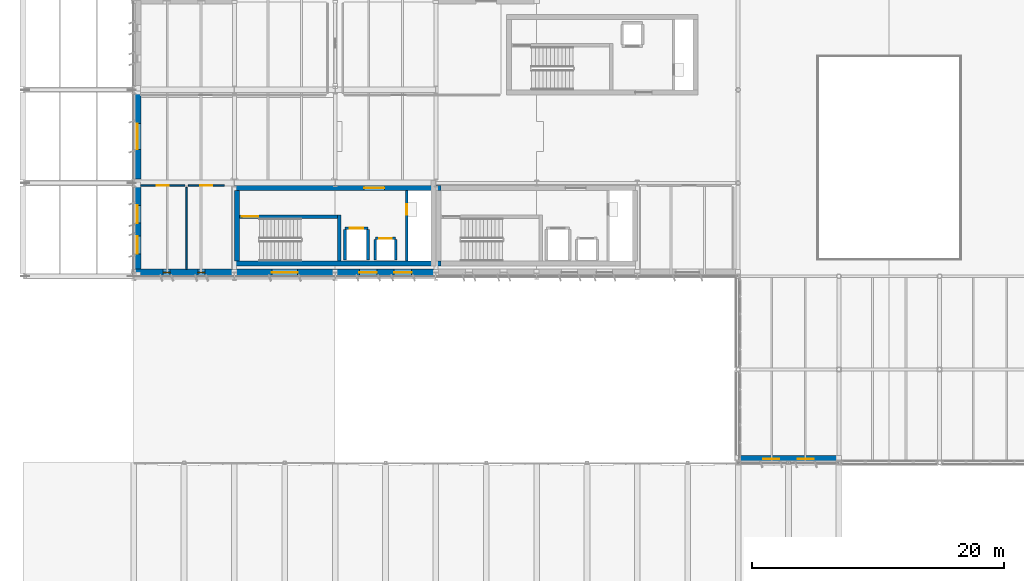
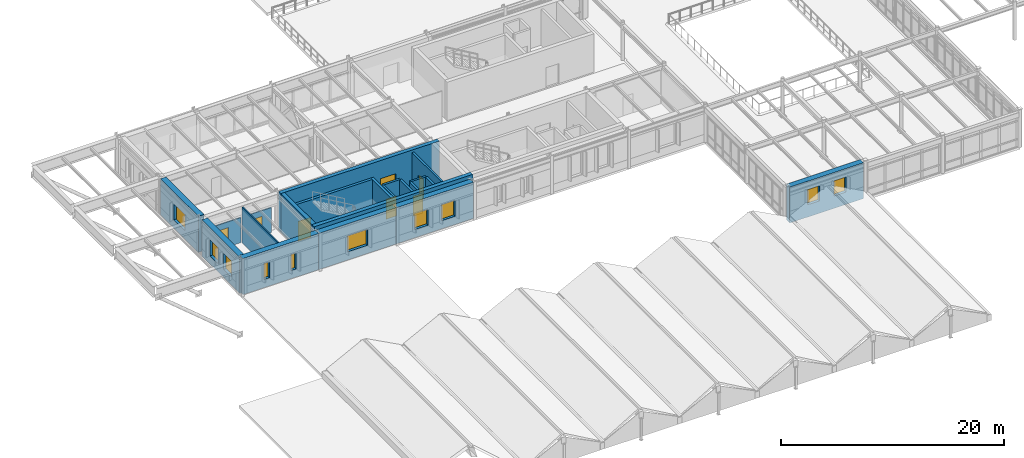
# One storey, part 39 of 63: 21 walls, 10 windows, 7 doors, 17 openings.
"""IFC4 building model written with IfcOpenShell, lengths in metres."""

from ifc_helpers import new_model, si_unit, direction, frame, frame_2d, origin, place, context, subcontext, project, spatial, rectangle, extrude, material, layer, layer_set, type_object, element, fill, save


model = new_model("IFC4")

# Units and contexts
model_context = context("Model", 3, precision=1e-05, world=origin(), true_north=direction((0.0, 1.0)))
body_context = subcontext(model_context, "Body", "Model", "MODEL_VIEW")
ifc_project = project(units=[si_unit("LENGTHUNIT", "METRE"), si_unit("AREAUNIT", "SQUARE_METRE"), si_unit("VOLUMEUNIT", "CUBIC_METRE"), si_unit("PLANEANGLEUNIT", "RADIAN"), si_unit("MASSUNIT", "GRAM", prefix="KILO")], contexts=[model_context])

# Site, building, storey
site_placement = place(None, origin())
site = spatial("IfcSite", under=ifc_project, at=site_placement, CompositionType="ELEMENT")
building_placement = place(site_placement, origin())
building = spatial("IfcBuilding", under=site, at=building_placement, Name="Valkorina Park Police Headquarters", CompositionType="ELEMENT")
storey_placement = place(building_placement, frame((0.0, 0.0, 9.89990234375)))
storey = spatial("IfcBuildingStorey", under=building, at=storey_placement, Name="L03", CompositionType="ELEMENT", Elevation=9.89990234375)

# Wall, opening, door
ifc_material_1 = material(Name="Autoclaved aerated concrete masonry", Category="masonry")
ifc_layer_1 = layer(ifc_material_1, 0.219970703125)
ifc_layer_set_1 = layer_set([ifc_layer_1], Name="Autoclaved aerated concrete masonry")
wall_type_1 = type_object("IfcWallType", Name="WL-CHASE-220-EI60", PredefinedType="PLUMBINGWALL", material=ifc_layer_set_1)
wall_1_placement = place(storey_placement, frame((25.590087890625, 40.81005859375, 0.0), z_axis=(0.0, 0.0, 1.0), x_axis=(1.0, 0.0, 0.0)))
wall_1 = element("IfcWall", 1, at=wall_1_placement, inside=storey, type_object=wall_type_1, Name="Lift LF-01 L03 Shaft Front Wall", PredefinedType="PLUMBINGWALL", context=body_context, shape_type="SweptSolid", body=[
    extrude(rectangle(XDim=1.81982421875, YDim=0.219970703125, at=frame_2d((0.909912109375, 0.0))), origin(), (0.0, 0.0, 1.0), 3.920166015625),
])
opening_1_placement = place(wall_1_placement, frame((0.360107421875, 0.0, 0.0)))
opening_1 = element("IfcOpeningElement", 2, at=opening_1_placement, cuts=wall_1, Name="Opening LD-01", PredefinedType="OPENING", context=body_context, shape_type="SweptSolid", body=[
    extrude(rectangle(XDim=1.10009765625, YDim=2.199951171875, at=frame_2d((0.550048828125, 1.10009765625))), frame((0.0, 0.1201171875, 0.0), z_axis=(0.0, -1.0, 0.0), x_axis=(1.0, 0.0, 0.0)), (0.0, 0.0, 1.0), 0.239990234375),
])
ifc_material_2 = material(Name="Stainless steel EN 1.4404", Category="steel")
ifc_layer_2 = layer(ifc_material_2, 0.050048828125)
ifc_layer_set_2 = layer_set([ifc_layer_2], Name="Stainless steel EN 1.4404")
door_type_1 = type_object("IfcDoorType", Name="DR-LIFT-FF-1100x2200", OperationType="NOTDEFINED", PredefinedType="DOOR", material=ifc_layer_set_2)
door_1_placement = place(opening_1_placement, origin())
door_1 = element("IfcDoor", 3, at=door_1_placement, inside=storey, type_object=door_type_1, Name="Lift Landing Door LF-01-L03", OperationType="DOUBLE_DOOR_SLIDING", OverallHeight=2.199951171875, OverallWidth=1.10009765625, PredefinedType="DOOR", context=body_context, shape_type="SweptSolid", body=[
    extrude(rectangle(XDim=1.10009765625, YDim=2.199951171875, at=frame_2d((0.550048828125, 1.10009765625))), frame((0.0, 0.02490234375, 0.0), z_axis=(0.0, -1.0, 0.0), x_axis=(1.0, 0.0, 0.0)), (0.0, 0.0, 1.0), 0.050048828125),
])
fill(opening_1, door_1)

# Walls
for number, where, z_axis, x_axis, name in (
    (4, (25.590087890625, 38.300048828125, 0.0), (0.0, 0.0, 1.0), (0.0, 1.0, 0.0), "Lift LF-01 L03 Shaft Side Wall W"),
    (5, (27.409912109375, 38.300048828125, 0.0), (0.0, 0.0, 1.0), (0.0, 1.0, 0.0), "Lift LF-01 L03 Shaft Side Wall E"),
):
    element("IfcWall", number, at=place(storey_placement, frame(where, z_axis=z_axis, x_axis=x_axis)), inside=storey, type_object=wall_type_1, Name=name, PredefinedType="PLUMBINGWALL", context=body_context, shape_type="SweptSolid", body=[
        extrude(rectangle(XDim=2.39990234375, YDim=0.219970703125, at=frame_2d((1.199951171875, 0.0))), origin(), (0.0, 0.0, 1.0), 3.920166015625),
    ])

# Wall, opening, door
wall_2_placement = place(storey_placement, frame((27.989990234375, 40.010009765625, 0.0), z_axis=(0.0, 0.0, 1.0), x_axis=(1.0, 0.0, 0.0)))
wall_2 = element("IfcWall", 6, at=wall_2_placement, inside=storey, type_object=wall_type_1, Name="Lift LF-03 L03 Shaft Front Wall", PredefinedType="PLUMBINGWALL", context=body_context, shape_type="SweptSolid", body=[
    extrude(rectangle(XDim=1.6201171875, YDim=0.219970703125, at=frame_2d((0.81005859375, 0.0))), origin(), (0.0, 0.0, 1.0), 3.920166015625),
])
opening_2_placement = place(wall_2_placement, frame((0.31005859375, 0.0, 0.0)))
opening_2 = element("IfcOpeningElement", 7, at=opening_2_placement, cuts=wall_2, Name="Opening LD-02", PredefinedType="OPENING", context=body_context, shape_type="SweptSolid", body=[
    extrude(rectangle(XDim=1.0, YDim=2.199951171875, at=frame_2d((0.5, 1.10009765625))), frame((0.0, 0.1201171875, 0.0), z_axis=(0.0, -1.0, 0.0), x_axis=(1.0, 0.0, 0.0)), (0.0, 0.0, 1.0), 0.239990234375),
])
ifc_layer_3 = layer(ifc_material_2, 0.050048828125)
ifc_layer_set_3 = layer_set([ifc_layer_3], Name="Stainless steel EN 1.4404")
door_type_2 = type_object("IfcDoorType", Name="DR-LIFT-PAX-1000x2200", OperationType="NOTDEFINED", PredefinedType="DOOR", material=ifc_layer_set_3)
door_2_placement = place(opening_2_placement, origin())
door_2 = element("IfcDoor", 8, at=door_2_placement, inside=storey, type_object=door_type_2, Name="Lift Landing Door LF-03-L03", OperationType="DOUBLE_DOOR_SLIDING", OverallHeight=2.199951171875, OverallWidth=1.0, PredefinedType="DOOR", context=body_context, shape_type="SweptSolid", body=[
    extrude(rectangle(XDim=1.0, YDim=2.199951171875, at=frame_2d((0.5, 1.10009765625))), frame((0.0, 0.02490234375, 0.0), z_axis=(0.0, -1.0, 0.0), x_axis=(1.0, 0.0, 0.0)), (0.0, 0.0, 1.0), 0.050048828125),
])
fill(opening_2, door_2)

# Walls
for number, where, z_axis, x_axis, name in (
    (9, (27.989990234375, 38.300048828125, 0.0), (0.0, 0.0, 1.0), (0.0, 1.0, 0.0), "Lift LF-03 L03 Shaft Side Wall W"),
    (10, (29.610107421875, 38.300048828125, 0.0), (0.0, 0.0, 1.0), (0.0, 1.0, 0.0), "Lift LF-03 L03 Shaft Side Wall E"),
):
    element("IfcWall", number, at=place(storey_placement, frame(where, z_axis=z_axis, x_axis=x_axis)), inside=storey, type_object=wall_type_1, Name=name, PredefinedType="PLUMBINGWALL", context=body_context, shape_type="SweptSolid", body=[
        extrude(rectangle(XDim=1.599853515625, YDim=0.219970703125, at=frame_2d((0.7998046875, 0.0))), origin(), (0.0, 0.0, 1.0), 3.920166015625),
    ])

# Wall, opening, door
wall_3_placement = place(storey_placement, frame((30.489990234375, 38.199951171875, 0.0), z_axis=(0.0, 0.0, 1.0), x_axis=(0.0, 1.0, 0.0)))
wall_3 = element("IfcWall", 11, at=wall_3_placement, inside=storey, type_object=wall_type_1, Name="Core C1 L03 Riser Shaft West Wall", PredefinedType="PLUMBINGWALL", context=body_context, shape_type="SweptSolid", body=[
    extrude(rectangle(XDim=5.60009765625, YDim=0.219970703125, at=frame_2d((2.800048828125, 0.0))), origin(), (0.0, 0.0, 1.0), 3.920166015625),
])
opening_3_placement = place(wall_3_placement, frame((3.699951171875, 0.0, 0.0)))
opening_3 = element("IfcOpeningElement", 12, at=opening_3_placement, cuts=wall_3, Name="Opening ID-01", PredefinedType="OPENING", context=body_context, shape_type="SweptSolid", body=[
    extrude(rectangle(XDim=0.800048828125, YDim=2.10009765625, at=frame_2d((0.39990234375, 1.050048828125))), frame((0.0, 0.1201171875, 0.0), z_axis=(0.0, -1.0, 0.0), x_axis=(1.0, 0.0, 0.0)), (0.0, 0.0, 1.0), 0.239990234375),
])
ifc_material_3 = material(Name="Galvanized steel door leaf", Category="steel")
ifc_layer_4 = layer(ifc_material_3, 0.050048828125)
ifc_layer_set_4 = layer_set([ifc_layer_4], Name="Galvanized steel door leaf")
door_type_3 = type_object("IfcDoorType", Name="DR-INT-RISER-800x2100", OperationType="NOTDEFINED", PredefinedType="DOOR", material=ifc_layer_set_4)
door_3_placement = place(opening_3_placement, origin())
door_3 = element("IfcDoor", 13, at=door_3_placement, inside=storey, type_object=door_type_3, Name="Riser Shaft Access Door C1-L03", OperationType="SINGLE_SWING_RIGHT", OverallHeight=2.10009765625, OverallWidth=0.800048828125, PredefinedType="DOOR", context=body_context, shape_type="SweptSolid", body=[
    extrude(rectangle(XDim=0.800048828125, YDim=2.10009765625, at=frame_2d((0.39990234375, 1.050048828125))), frame((0.0, 0.02490234375, 0.0), z_axis=(0.0, -1.0, 0.0), x_axis=(1.0, 0.0, 0.0)), (0.0, 0.0, 1.0), 0.050048828125),
])
fill(opening_3, door_3)

# Wall
ifc_material_4 = material(Name="Concrete C40/50", Category="concrete")
ifc_layer_5 = layer(ifc_material_4, 0.39990234375)
ifc_layer_set_5 = layer_set([ifc_layer_5], Name="Concrete C40/50")
wall_type_2 = type_object("IfcWallType", Name="WL-CORE-400-REI180", PredefinedType="SHEAR", material=ifc_layer_set_5)
wall_4_placement = place(storey_placement, frame((16.800048828125, 38.0, 0.0), z_axis=(0.0, 0.0, 1.0), x_axis=(1.0, 0.0, 0.0)))
element("IfcWall", 14, at=wall_4_placement, inside=storey, type_object=wall_type_2, Name="Core C1 L03 Shear Wall S", PredefinedType="SHEAR", context=body_context, shape_type="SweptSolid", body=[
    extrude(rectangle(XDim=16.39990234375, YDim=0.39990234375, at=frame_2d((8.199951171875, 0.0))), origin(), (0.0, 0.0, 1.0), 4.195068359375),
])

# Wall, opening, door
wall_5_placement = place(storey_placement, frame((16.800048828125, 44.0, 0.0), z_axis=(0.0, 0.0, 1.0), x_axis=(1.0, 0.0, 0.0)))
wall_5 = element("IfcWall", 15, at=wall_5_placement, inside=storey, type_object=wall_type_2, Name="Core C1 L03 Shear Wall N", PredefinedType="SHEAR", context=body_context, shape_type="SweptSolid", body=[
    extrude(rectangle(XDim=16.39990234375, YDim=0.39990234375, at=frame_2d((8.199951171875, 0.0))), origin(), (0.0, 0.0, 1.0), 4.195068359375),
])
opening_4_placement = place(wall_5_placement, frame((10.300048828125, 0.0, 0.0)))
opening_4 = element("IfcOpeningElement", 16, at=opening_4_placement, cuts=wall_5, Name="Opening FD-04", PredefinedType="OPENING", context=body_context, shape_type="SweptSolid", body=[
    extrude(rectangle(XDim=1.60009765625, YDim=2.199951171875, at=frame_2d((0.800048828125, 1.10009765625))), frame((0.0, 0.2099609375, 0.0), z_axis=(0.0, -1.0, 0.0), x_axis=(1.0, 0.0, 0.0)), (0.0, 0.0, 1.0), 0.419921875),
])
ifc_layer_6 = layer(ifc_material_3, 0.050048828125)
ifc_layer_set_6 = layer_set([ifc_layer_6], Name="Galvanized steel door leaf")
door_type_4 = type_object("IfcDoorType", Name="DR-FIRE-FFL-1600x2200", OperationType="NOTDEFINED", PredefinedType="DOOR", material=ifc_layer_set_6)
door_4_placement = place(opening_4_placement, origin())
door_4 = element("IfcDoor", 17, at=door_4_placement, inside=storey, type_object=door_type_4, Name="Door D-L03-FFL-C1 (Firefighting Lift Lobby Door)", OperationType="DOUBLE_DOOR_SINGLE_SWING", OverallHeight=2.199951171875, OverallWidth=1.60009765625, PredefinedType="DOOR", context=body_context, shape_type="SweptSolid", body=[
    extrude(rectangle(XDim=1.60009765625, YDim=2.199951171875, at=frame_2d((0.800048828125, 1.10009765625))), frame((0.0, 0.02490234375, 0.0), z_axis=(0.0, -1.0, 0.0), x_axis=(1.0, 0.0, 0.0)), (0.0, 0.0, 1.0), 0.050048828125),
])
fill(opening_4, door_4)

# Wall
wall_6_placement = place(storey_placement, frame((17.0, 38.199951171875, 0.0), z_axis=(0.0, 0.0, 1.0), x_axis=(0.0, 1.0, 0.0)))
element("IfcWall", 18, at=wall_6_placement, inside=storey, type_object=wall_type_2, Name="Core C1 L03 Shear Wall W", PredefinedType="SHEAR", context=body_context, shape_type="SweptSolid", body=[
    extrude(rectangle(XDim=5.60009765625, YDim=0.39990234375, at=frame_2d((2.800048828125, 0.0))), origin(), (0.0, 0.0, 1.0), 4.195068359375),
])

# Wall, openings, windows
ifc_material_5 = material(Name="Concrete C35/45", Category="concrete")
ifc_layer_7 = layer(ifc_material_5, 0.580078125)
ifc_layer_set_7 = layer_set([ifc_layer_7], Name="Concrete C35/45")
wall_type_3 = type_object("IfcWallType", Name="WL-EXT-BOARD-580", PredefinedType="STANDARD", material=ifc_layer_set_7)
wall_7_placement = place(storey_placement, frame((64.6123046875, 22.489990234375, 0.0), z_axis=(0.0, 0.0, 1.0), x_axis=(-1.0, 0.0, 0.0)))
wall_7 = element("IfcWall", 19, at=wall_7_placement, inside=storey, type_object=wall_type_3, Name="L03 Architectural Concrete Exterior Wall 0225", PredefinedType="STANDARD", context=body_context, shape_type="SweptSolid", body=[
    extrude(rectangle(XDim=7.62451171875, YDim=0.580078125, at=frame_2d((3.812255859375, 0.0))), origin(), (0.0, 0.0, 1.0), 3.920166015625),
])
opening_5_placement = place(wall_7_placement, frame((1.814697265625, 0.0, 1.35009765625)))
opening_5 = element("IfcOpeningElement", 20, at=opening_5_placement, cuts=wall_7, Name="Opening WN-21", PredefinedType="OPENING", context=body_context, shape_type="SweptSolid", body=[
    extrude(rectangle(XDim=1.25, YDim=1.64990234375, at=frame_2d((0.625, 0.824951171875))), frame((0.0, 0.300048828125, 0.0), z_axis=(0.0, -1.0, 0.0), x_axis=(1.0, 0.0, 0.0)), (0.0, 0.0, 1.0), 0.60009765625),
])
opening_6_placement = place(wall_7_placement, frame((4.5595703125, 0.0, 1.35009765625)))
opening_6 = element("IfcOpeningElement", 21, at=opening_6_placement, cuts=wall_7, Name="Opening WN-21", PredefinedType="OPENING", context=body_context, shape_type="SweptSolid", body=[
    extrude(rectangle(XDim=1.25, YDim=1.64990234375, at=frame_2d((0.625, 0.824951171875))), frame((0.0, 0.300048828125, 0.0), z_axis=(0.0, -1.0, 0.0), x_axis=(1.0, 0.0, 0.0)), (0.0, 0.0, 1.0), 0.60009765625),
])
ifc_material_6 = material(Name="Triple low-E insulated glazing", Category="glass")
ifc_layer_8 = layer(ifc_material_6, 0.06005859375)
ifc_layer_set_8 = layer_set([ifc_layer_8], Name="Triple low-E insulated glazing")
window_type_1 = type_object("IfcWindowType", Name="WN-LAB-1250x1650", PartitioningType="SINGLE_PANEL", PredefinedType="WINDOW", material=ifc_layer_set_8)
window_1_placement = place(opening_5_placement, origin())
window_1 = element("IfcWindow", 22, at=window_1_placement, inside=storey, type_object=window_type_1, Name="Window L03-0382", OverallHeight=1.64990234375, OverallWidth=1.25, PartitioningType="SINGLE_PANEL", PredefinedType="WINDOW", context=body_context, shape_type="SweptSolid", body=[
    extrude(rectangle(XDim=1.25, YDim=1.64990234375, at=frame_2d((0.625, 0.824951171875))), frame((0.0, 0.030029296875, 0.0), z_axis=(0.0, -1.0, 0.0), x_axis=(1.0, 0.0, 0.0)), (0.0, 0.0, 1.0), 0.06005859375),
])
fill(opening_5, window_1)
window_2_placement = place(opening_6_placement, origin())
window_2 = element("IfcWindow", 23, at=window_2_placement, inside=storey, type_object=window_type_1, Name="Window L03-0383", OverallHeight=1.64990234375, OverallWidth=1.25, PartitioningType="SINGLE_PANEL", PredefinedType="WINDOW", context=body_context, shape_type="SweptSolid", body=[
    extrude(rectangle(XDim=1.25, YDim=1.64990234375, at=frame_2d((0.625, 0.824951171875))), frame((0.0, 0.030029296875, 0.0), z_axis=(0.0, -1.0, 0.0), x_axis=(1.0, 0.0, 0.0)), (0.0, 0.0, 1.0), 0.06005859375),
])
fill(opening_6, window_2)

wall_8_placement = place(storey_placement, frame((32.800048828125, 37.2900390625, 0.0), z_axis=(0.0, 0.0, 1.0), x_axis=(-1.0, 0.0, 0.0)))
wall_8 = element("IfcWall", 24, at=wall_8_placement, inside=storey, type_object=wall_type_3, Name="L03 Architectural Concrete Exterior Wall 0229", PredefinedType="STANDARD", context=body_context, shape_type="SweptSolid", body=[
    extrude(rectangle(XDim=8.0, YDim=0.580078125, at=frame_2d((4.0, 0.0))), origin(), (0.0, 0.0, 1.0), 3.955078125),
])
opening_7_placement = place(wall_8_placement, frame((1.91748046875, 0.0, 0.89990234375)))
opening_7 = element("IfcOpeningElement", 25, at=opening_7_placement, cuts=wall_8, Name="Opening WN-24", PredefinedType="OPENING", context=body_context, shape_type="SweptSolid", body=[
    extrude(rectangle(XDim=1.39990234375, YDim=1.75, at=frame_2d((0.699951171875, 0.875))), frame((0.0, 0.300048828125, 0.0), z_axis=(0.0, -1.0, 0.0), x_axis=(1.0, 0.0, 0.0)), (0.0, 0.0, 1.0), 0.60009765625),
])
opening_8_placement = place(wall_8_placement, frame((4.682373046875, 0.0, 0.89990234375)))
opening_8 = element("IfcOpeningElement", 26, at=opening_8_placement, cuts=wall_8, Name="Opening WN-24", PredefinedType="OPENING", context=body_context, shape_type="SweptSolid", body=[
    extrude(rectangle(XDim=1.39990234375, YDim=1.75, at=frame_2d((0.699951171875, 0.875))), frame((0.0, 0.300048828125, 0.0), z_axis=(0.0, -1.0, 0.0), x_axis=(1.0, 0.0, 0.0)), (0.0, 0.0, 1.0), 0.60009765625),
])
ifc_layer_9 = layer(ifc_material_6, 0.06005859375)
ifc_layer_set_9 = layer_set([ifc_layer_9], Name="Triple low-E insulated glazing")
window_type_2 = type_object("IfcWindowType", Name="WN-LAB-1400x1750", PartitioningType="SINGLE_PANEL", PredefinedType="WINDOW", material=ifc_layer_set_9)
window_3_placement = place(opening_7_placement, origin())
window_3 = element("IfcWindow", 27, at=window_3_placement, inside=storey, type_object=window_type_2, Name="Window L03-0389", OverallHeight=1.75, OverallWidth=1.39990234375, PartitioningType="SINGLE_PANEL", PredefinedType="WINDOW", context=body_context, shape_type="SweptSolid", body=[
    extrude(rectangle(XDim=1.39990234375, YDim=1.75, at=frame_2d((0.699951171875, 0.875))), frame((0.0, 0.030029296875, 0.0), z_axis=(0.0, -1.0, 0.0), x_axis=(1.0, 0.0, 0.0)), (0.0, 0.0, 1.0), 0.06005859375),
])
fill(opening_7, window_3)
window_4_placement = place(opening_8_placement, origin())
window_4 = element("IfcWindow", 28, at=window_4_placement, inside=storey, type_object=window_type_2, Name="Window L03-0390", OverallHeight=1.75, OverallWidth=1.39990234375, PartitioningType="SINGLE_PANEL", PredefinedType="WINDOW", context=body_context, shape_type="SweptSolid", body=[
    extrude(rectangle(XDim=1.39990234375, YDim=1.75, at=frame_2d((0.699951171875, 0.875))), frame((0.0, 0.030029296875, 0.0), z_axis=(0.0, -1.0, 0.0), x_axis=(1.0, 0.0, 0.0)), (0.0, 0.0, 1.0), 0.06005859375),
])
fill(opening_8, window_4)

# Wall, opening, window
wall_9_placement = place(storey_placement, frame((24.800048828125, 37.2900390625, 0.0), z_axis=(0.0, 0.0, 1.0), x_axis=(-1.0, 0.0, 0.0)))
wall_9 = element("IfcWall", 29, at=wall_9_placement, inside=storey, type_object=wall_type_3, Name="L03 Architectural Concrete Exterior Wall 0230", PredefinedType="STANDARD", context=body_context, shape_type="SweptSolid", body=[
    extrude(rectangle(XDim=8.0, YDim=0.580078125, at=frame_2d((4.0, 0.0))), origin(), (0.0, 0.0, 1.0), 3.955078125),
])
opening_9_placement = place(wall_9_placement, frame((2.97509765625, 0.0, 0.89990234375)))
opening_9 = element("IfcOpeningElement", 30, at=opening_9_placement, cuts=wall_9, Name="Opening WN-32", PredefinedType="OPENING", context=body_context, shape_type="SweptSolid", body=[
    extrude(rectangle(XDim=2.050048828125, YDim=1.75, at=frame_2d((1.02490234375, 0.875))), frame((0.0, 0.300048828125, 0.0), z_axis=(0.0, -1.0, 0.0), x_axis=(1.0, 0.0, 0.0)), (0.0, 0.0, 1.0), 0.60009765625),
])
ifc_layer_10 = layer(ifc_material_6, 0.06005859375)
ifc_layer_set_10 = layer_set([ifc_layer_10], Name="Triple low-E insulated glazing")
window_type_3 = type_object("IfcWindowType", Name="WN-GYM-2050x1750", PartitioningType="SINGLE_PANEL", PredefinedType="WINDOW", material=ifc_layer_set_10)
window_5_placement = place(opening_9_placement, origin())
window_5 = element("IfcWindow", 31, at=window_5_placement, inside=storey, type_object=window_type_3, Name="Window L03-0391", OverallHeight=1.75, OverallWidth=2.050048828125, PartitioningType="SINGLE_PANEL", PredefinedType="WINDOW", context=body_context, shape_type="SweptSolid", body=[
    extrude(rectangle(XDim=2.050048828125, YDim=1.75, at=frame_2d((1.02490234375, 0.875))), frame((0.0, 0.030029296875, 0.0), z_axis=(0.0, -1.0, 0.0), x_axis=(1.0, 0.0, 0.0)), (0.0, 0.0, 1.0), 0.06005859375),
])
fill(opening_9, window_5)

# Wall, openings, windows
wall_10_placement = place(storey_placement, frame((16.800048828125, 37.2900390625, 0.0), z_axis=(0.0, 0.0, 1.0), x_axis=(-1.0, 0.0, 0.0)))
wall_10 = element("IfcWall", 32, at=wall_10_placement, inside=storey, type_object=wall_type_3, Name="L03 Architectural Concrete Exterior Wall 0231", PredefinedType="STANDARD", context=body_context, shape_type="SweptSolid", body=[
    extrude(rectangle(XDim=7.840087890625, YDim=0.580078125, at=frame_2d((3.919921875, 0.0))), origin(), (0.0, 0.0, 1.0), 3.955078125),
])
opening_10_placement = place(wall_10_placement, frame((2.342529296875, 0.0, 0.89990234375)))
opening_10 = element("IfcOpeningElement", 33, at=opening_10_placement, cuts=wall_10, Name="Opening WN-02", PredefinedType="OPENING", context=body_context, shape_type="SweptSolid", body=[
    extrude(rectangle(XDim=0.550048828125, YDim=1.75, at=frame_2d((0.27490234375, 0.875))), frame((0.0, 0.300048828125, 0.0), z_axis=(0.0, -1.0, 0.0), x_axis=(1.0, 0.0, 0.0)), (0.0, 0.0, 1.0), 0.60009765625),
])
opening_11_placement = place(wall_10_placement, frame((5.107421875, 0.0, 0.89990234375)))
opening_11 = element("IfcOpeningElement", 34, at=opening_11_placement, cuts=wall_10, Name="Opening WN-02", PredefinedType="OPENING", context=body_context, shape_type="SweptSolid", body=[
    extrude(rectangle(XDim=0.550048828125, YDim=1.75, at=frame_2d((0.27490234375, 0.875))), frame((0.0, 0.300048828125, 0.0), z_axis=(0.0, -1.0, 0.0), x_axis=(1.0, 0.0, 0.0)), (0.0, 0.0, 1.0), 0.60009765625),
])
ifc_layer_11 = layer(ifc_material_6, 0.06005859375)
ifc_layer_set_11 = layer_set([ifc_layer_11], Name="Triple low-E insulated glazing")
window_type_4 = type_object("IfcWindowType", Name="WN-SLOT-550x1750", PartitioningType="SINGLE_PANEL", PredefinedType="WINDOW", material=ifc_layer_set_11)
window_6_placement = place(opening_10_placement, origin())
window_6 = element("IfcWindow", 35, at=window_6_placement, inside=storey, type_object=window_type_4, Name="Window L03-0392", OverallHeight=1.75, OverallWidth=0.550048828125, PartitioningType="SINGLE_PANEL", PredefinedType="WINDOW", context=body_context, shape_type="SweptSolid", body=[
    extrude(rectangle(XDim=0.550048828125, YDim=1.75, at=frame_2d((0.27490234375, 0.875))), frame((0.0, 0.030029296875, 0.0), z_axis=(0.0, -1.0, 0.0), x_axis=(1.0, 0.0, 0.0)), (0.0, 0.0, 1.0), 0.06005859375),
])
fill(opening_10, window_6)
window_7_placement = place(opening_11_placement, origin())
window_7 = element("IfcWindow", 36, at=window_7_placement, inside=storey, type_object=window_type_4, Name="Window L03-0393", OverallHeight=1.75, OverallWidth=0.550048828125, PartitioningType="SINGLE_PANEL", PredefinedType="WINDOW", context=body_context, shape_type="SweptSolid", body=[
    extrude(rectangle(XDim=0.550048828125, YDim=1.75, at=frame_2d((0.27490234375, 0.875))), frame((0.0, 0.030029296875, 0.0), z_axis=(0.0, -1.0, 0.0), x_axis=(1.0, 0.0, 0.0)), (0.0, 0.0, 1.0), 0.06005859375),
])
fill(opening_11, window_7)

wall_11_placement = place(storey_placement, frame((9.090087890625, 37.31005859375, 0.0), z_axis=(0.0, 0.0, 1.0), x_axis=(0.0, 1.0, 0.0)))
wall_11 = element("IfcWall", 37, at=wall_11_placement, inside=storey, type_object=wall_type_3, Name="L03 Architectural Concrete Exterior Wall 0232", PredefinedType="STANDARD", context=body_context, shape_type="SweptSolid", body=[
    extrude(rectangle(XDim=6.780029296875, YDim=0.580078125, at=frame_2d((3.39013671875, 0.0))), origin(), (0.0, 0.0, 1.0), 3.955078125),
])
opening_12_placement = place(wall_11_placement, frame((1.469482421875, 0.0, 0.89990234375)))
opening_12 = element("IfcOpeningElement", 38, at=opening_12_placement, cuts=wall_11, Name="Opening WN-24", PredefinedType="OPENING", context=body_context, shape_type="SweptSolid", body=[
    extrude(rectangle(XDim=1.39990234375, YDim=1.75, at=frame_2d((0.699951171875, 0.875))), frame((0.0, 0.300048828125, 0.0), z_axis=(0.0, -1.0, 0.0), x_axis=(1.0, 0.0, 0.0)), (0.0, 0.0, 1.0), 0.60009765625),
])
opening_13_placement = place(wall_11_placement, frame((3.910400390625, 0.0, 0.89990234375)))
opening_13 = element("IfcOpeningElement", 39, at=opening_13_placement, cuts=wall_11, Name="Opening WN-24", PredefinedType="OPENING", context=body_context, shape_type="SweptSolid", body=[
    extrude(rectangle(XDim=1.39990234375, YDim=1.75, at=frame_2d((0.699951171875, 0.875))), frame((0.0, 0.300048828125, 0.0), z_axis=(0.0, -1.0, 0.0), x_axis=(1.0, 0.0, 0.0)), (0.0, 0.0, 1.0), 0.60009765625),
])
window_8_placement = place(opening_12_placement, origin())
window_8 = element("IfcWindow", 40, at=window_8_placement, inside=storey, type_object=window_type_2, Name="Window L03-0394", OverallHeight=1.75, OverallWidth=1.39990234375, PartitioningType="SINGLE_PANEL", PredefinedType="WINDOW", context=body_context, shape_type="SweptSolid", body=[
    extrude(rectangle(XDim=1.39990234375, YDim=1.75, at=frame_2d((0.699951171875, 0.875))), frame((0.0, 0.030029296875, 0.0), z_axis=(0.0, -1.0, 0.0), x_axis=(1.0, 0.0, 0.0)), (0.0, 0.0, 1.0), 0.06005859375),
])
fill(opening_12, window_8)
window_9_placement = place(opening_13_placement, origin())
window_9 = element("IfcWindow", 41, at=window_9_placement, inside=storey, type_object=window_type_2, Name="Window L03-0395", OverallHeight=1.75, OverallWidth=1.39990234375, PartitioningType="SINGLE_PANEL", PredefinedType="WINDOW", context=body_context, shape_type="SweptSolid", body=[
    extrude(rectangle(XDim=1.39990234375, YDim=1.75, at=frame_2d((0.699951171875, 0.875))), frame((0.0, 0.030029296875, 0.0), z_axis=(0.0, -1.0, 0.0), x_axis=(1.0, 0.0, 0.0)), (0.0, 0.0, 1.0), 0.06005859375),
])
fill(opening_13, window_9)

# Wall, opening, window
wall_12_placement = place(storey_placement, frame((9.090087890625, 44.7099609375, 0.0), z_axis=(0.0, 0.0, 1.0), x_axis=(0.0, 1.0, 0.0)))
wall_12 = element("IfcWall", 42, at=wall_12_placement, inside=storey, type_object=wall_type_3, Name="L03 Architectural Concrete Exterior Wall 0233", PredefinedType="STANDARD", context=body_context, shape_type="SweptSolid", body=[
    extrude(rectangle(XDim=6.780029296875, YDim=0.580078125, at=frame_2d((3.39013671875, 0.0))), origin(), (0.0, 0.0, 1.0), 3.955078125),
])
opening_14_placement = place(wall_12_placement, frame((2.364990234375, 0.0, 0.89990234375)))
opening_14 = element("IfcOpeningElement", 43, at=opening_14_placement, cuts=wall_12, Name="Opening WN-32", PredefinedType="OPENING", context=body_context, shape_type="SweptSolid", body=[
    extrude(rectangle(XDim=2.050048828125, YDim=1.75, at=frame_2d((1.02490234375, 0.875))), frame((0.0, 0.300048828125, 0.0), z_axis=(0.0, -1.0, 0.0), x_axis=(1.0, 0.0, 0.0)), (0.0, 0.0, 1.0), 0.60009765625),
])
window_10_placement = place(opening_14_placement, origin())
window_10 = element("IfcWindow", 44, at=window_10_placement, inside=storey, type_object=window_type_3, Name="Window L03-0396", OverallHeight=1.75, OverallWidth=2.050048828125, PartitioningType="SINGLE_PANEL", PredefinedType="WINDOW", context=body_context, shape_type="SweptSolid", body=[
    extrude(rectangle(XDim=2.050048828125, YDim=1.75, at=frame_2d((1.02490234375, 0.875))), frame((0.0, 0.030029296875, 0.0), z_axis=(0.0, -1.0, 0.0), x_axis=(1.0, 0.0, 0.0)), (0.0, 0.0, 1.0), 0.06005859375),
])
fill(opening_14, window_10)

# Wall, opening, door
ifc_material_7 = material(Name="Gypsum plasterboard")
ifc_layer_12 = layer(ifc_material_7, 0.125)
ifc_layer_set_12 = layer_set([ifc_layer_12], Name="Gypsum plasterboard")
wall_type_4 = type_object("IfcWallType", Name="WL-PART-125-EI30", PredefinedType="PARTITIONING", material=ifc_layer_set_12)
wall_13_placement = place(storey_placement, frame((9.340087890625, 44.199951171875, 0.0), z_axis=(0.0, 0.0, 1.0), x_axis=(1.0, 0.0, 0.0)))
wall_13 = element("IfcWall", 45, at=wall_13_placement, inside=storey, type_object=wall_type_4, Name="L03 Interior Partition 0165 (L03-WC-M)", PredefinedType="PARTITIONING", context=body_context, shape_type="SweptSolid", body=[
    extrude(rectangle(XDim=3.52001953125, YDim=0.125, at=frame_2d((1.760009765625, 0.0))), origin(), (0.0, 0.0, 1.0), 2.735107421875),
])
opening_15_placement = place(wall_13_placement, frame((1.284912109375, 0.0, 0.0)))
opening_15 = element("IfcOpeningElement", 46, at=opening_15_placement, cuts=wall_13, Name="Opening ID-02", PredefinedType="OPENING", context=body_context, shape_type="SweptSolid", body=[
    extrude(rectangle(XDim=0.949951171875, YDim=2.10009765625, at=frame_2d((0.47509765625, 1.050048828125))), frame((0.0, 0.072509765625, 0.0), z_axis=(0.0, -1.0, 0.0), x_axis=(1.0, 0.0, 0.0)), (0.0, 0.0, 1.0), 0.14501953125),
])
ifc_material_8 = material(Name="Thermally broken aluminium AW-6060", Category="aluminium")
ifc_layer_13 = layer(ifc_material_8, 0.050048828125)
ifc_layer_set_13 = layer_set([ifc_layer_13], Name="Thermally broken aluminium AW-6060")
door_type_5 = type_object("IfcDoorType", Name="DR-INT-WC-950x2100", OperationType="NOTDEFINED", PredefinedType="DOOR", material=ifc_layer_set_13)
door_5_placement = place(opening_15_placement, origin())
door_5 = element("IfcDoor", 47, at=door_5_placement, inside=storey, type_object=door_type_5, Name="Door D-L03-I077 (L03-WC-M)", OperationType="SINGLE_SWING_RIGHT", OverallHeight=2.10009765625, OverallWidth=0.949951171875, PredefinedType="DOOR", context=body_context, shape_type="SweptSolid", body=[
    extrude(rectangle(XDim=0.949951171875, YDim=2.10009765625, at=frame_2d((0.47509765625, 1.050048828125))), frame((0.0, 0.02490234375, 0.0), z_axis=(0.0, -1.0, 0.0), x_axis=(1.0, 0.0, 0.0)), (0.0, 0.0, 1.0), 0.050048828125),
])
fill(opening_15, door_5)

# Wall
wall_14_placement = place(storey_placement, frame((13.0, 37.5400390625, 0.0), z_axis=(0.0, 0.0, 1.0), x_axis=(0.0, 1.0, 0.0)))
element("IfcWall", 48, at=wall_14_placement, inside=storey, type_object=wall_type_4, Name="L03 Interior Partition 0166 (L03-WC-M)", PredefinedType="PARTITIONING", context=body_context, shape_type="SweptSolid", body=[
    extrude(rectangle(XDim=6.52001953125, YDim=0.125, at=frame_2d((3.260009765625, 0.0))), origin(), (0.0, 0.0, 1.0), 3.920166015625),
])

# Wall, opening, door
wall_15_placement = place(storey_placement, frame((13.139892578125, 44.199951171875, 0.0), z_axis=(0.0, 0.0, 1.0), x_axis=(1.0, 0.0, 0.0)))
wall_15 = element("IfcWall", 49, at=wall_15_placement, inside=storey, type_object=wall_type_4, Name="L03 Interior Partition 0167 (L03-WC-F)", PredefinedType="PARTITIONING", context=body_context, shape_type="SweptSolid", body=[
    extrude(rectangle(XDim=2.8701171875, YDim=0.125, at=frame_2d((1.43505859375, 0.0))), origin(), (0.0, 0.0, 1.0), 2.735107421875),
])
opening_16_placement = place(wall_15_placement, frame((0.9599609375, 0.0, 0.0)))
opening_16 = element("IfcOpeningElement", 50, at=opening_16_placement, cuts=wall_15, Name="Opening ID-02", PredefinedType="OPENING", context=body_context, shape_type="SweptSolid", body=[
    extrude(rectangle(XDim=0.949951171875, YDim=2.10009765625, at=frame_2d((0.47509765625, 1.050048828125))), frame((0.0, 0.072509765625, 0.0), z_axis=(0.0, -1.0, 0.0), x_axis=(1.0, 0.0, 0.0)), (0.0, 0.0, 1.0), 0.14501953125),
])
door_6_placement = place(opening_16_placement, origin())
door_6 = element("IfcDoor", 51, at=door_6_placement, inside=storey, type_object=door_type_5, Name="Door D-L03-I078 (L03-WC-F)", OperationType="SINGLE_SWING_LEFT", OverallHeight=2.10009765625, OverallWidth=0.949951171875, PredefinedType="DOOR", context=body_context, shape_type="SweptSolid", body=[
    extrude(rectangle(XDim=0.949951171875, YDim=2.10009765625, at=frame_2d((0.47509765625, 1.050048828125))), frame((0.0, 0.02490234375, 0.0), z_axis=(0.0, -1.0, 0.0), x_axis=(1.0, 0.0, 0.0)), (0.0, 0.0, 1.0), 0.050048828125),
])
fill(opening_16, door_6)

# Wall
ifc_layer_14 = layer(ifc_material_4, 0.280029296875)
ifc_layer_set_14 = layer_set([ifc_layer_14], Name="Concrete C40/50")
wall_type_5 = type_object("IfcWallType", Name="WL-STAIR-280-REI120", PredefinedType="SHEAR", material=ifc_layer_set_14)
wall_16_placement = place(storey_placement, frame((25.139892578125, 38.199951171875, 0.0), z_axis=(0.0, 0.0, 1.0), x_axis=(0.0, 1.0, 0.0)))
element("IfcWall", 52, at=wall_16_placement, inside=storey, type_object=wall_type_5, Name="Core C1 L03 Shear Wall DIV", PredefinedType="SHEAR", context=body_context, shape_type="SweptSolid", body=[
    extrude(rectangle(XDim=3.679931640625, YDim=0.280029296875, at=frame_2d((1.83984375, 0.0))), origin(), (0.0, 0.0, 1.0), 4.195068359375),
])

# Wall, opening, door
wall_17_placement = place(storey_placement, frame((17.199951171875, 41.739990234375, 0.0), z_axis=(0.0, 0.0, 1.0), x_axis=(1.0, 0.0, 0.0)))
wall_17 = element("IfcWall", 53, at=wall_17_placement, inside=storey, type_object=wall_type_5, Name="Core C1 L03 Shear Wall SIDE", PredefinedType="SHEAR", context=body_context, shape_type="SweptSolid", body=[
    extrude(rectangle(XDim=7.800048828125, YDim=0.280029296875, at=frame_2d((3.89990234375, 0.0))), origin(), (0.0, 0.0, 1.0), 4.195068359375),
])
opening_17_placement = place(wall_17_placement, frame((0.199951171875, 0.0, 0.0)))
opening_17 = element("IfcOpeningElement", 54, at=opening_17_placement, cuts=wall_17, Name="Opening FD-03", PredefinedType="OPENING", context=body_context, shape_type="SweptSolid", body=[
    extrude(rectangle(XDim=1.300048828125, YDim=2.199951171875, at=frame_2d((0.64990234375, 1.10009765625))), frame((0.0, 0.14990234375, 0.0), z_axis=(0.0, -1.0, 0.0), x_axis=(1.0, 0.0, 0.0)), (0.0, 0.0, 1.0), 0.300048828125),
])
ifc_layer_15 = layer(ifc_material_3, 0.050048828125)
ifc_layer_set_15 = layer_set([ifc_layer_15], Name="Galvanized steel door leaf")
door_type_6 = type_object("IfcDoorType", Name="DR-FIRE-STAIR-1300x2200", OperationType="NOTDEFINED", PredefinedType="DOOR", material=ifc_layer_set_15)
door_7_placement = place(opening_17_placement, origin())
door_7 = element("IfcDoor", 55, at=door_7_placement, inside=storey, type_object=door_type_6, Name="Door D-L03-C016 (ST-01 Stair Fire Door)", OperationType="SINGLE_SWING_LEFT", OverallHeight=2.199951171875, OverallWidth=1.300048828125, PredefinedType="DOOR", context=body_context, shape_type="SweptSolid", body=[
    extrude(rectangle(XDim=1.300048828125, YDim=2.199951171875, at=frame_2d((0.64990234375, 1.10009765625))), frame((0.0, 0.02490234375, 0.0), z_axis=(0.0, -1.0, 0.0), x_axis=(1.0, 0.0, 0.0)), (0.0, 0.0, 1.0), 0.050048828125),
])
fill(opening_17, door_7)

save(model, "model.ifc")
